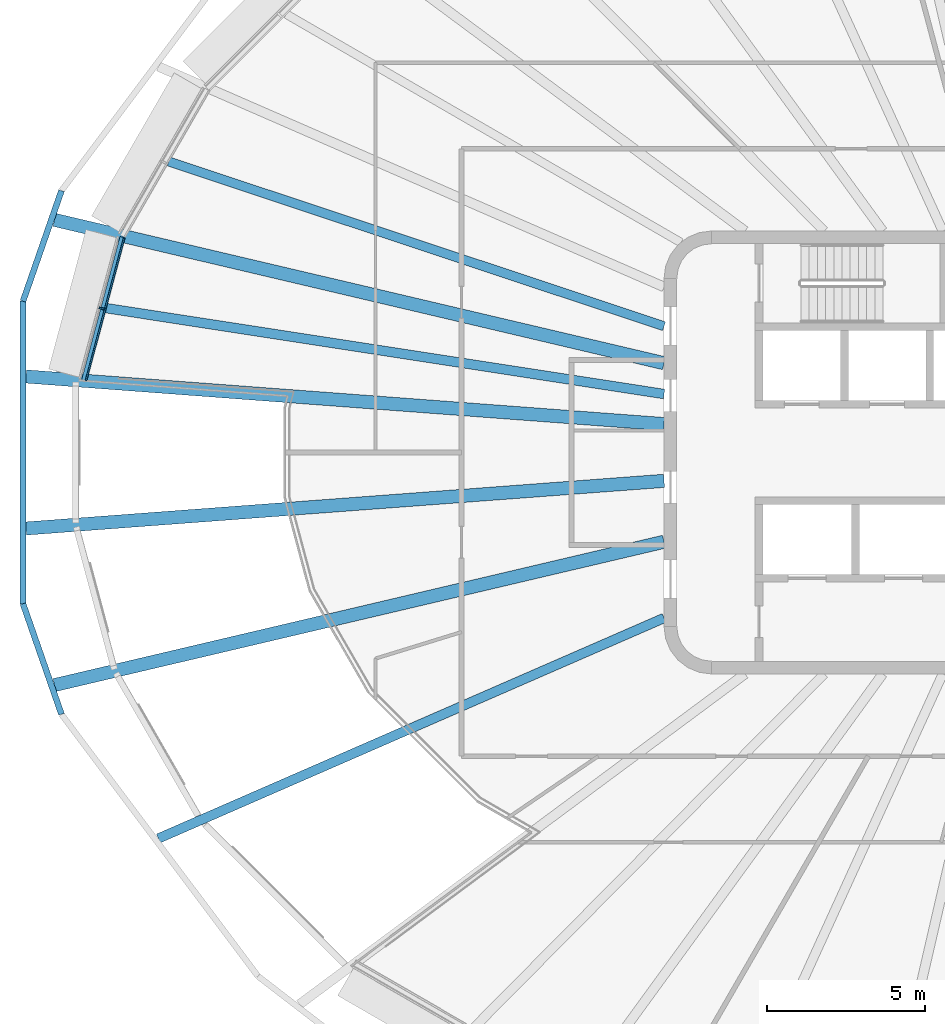
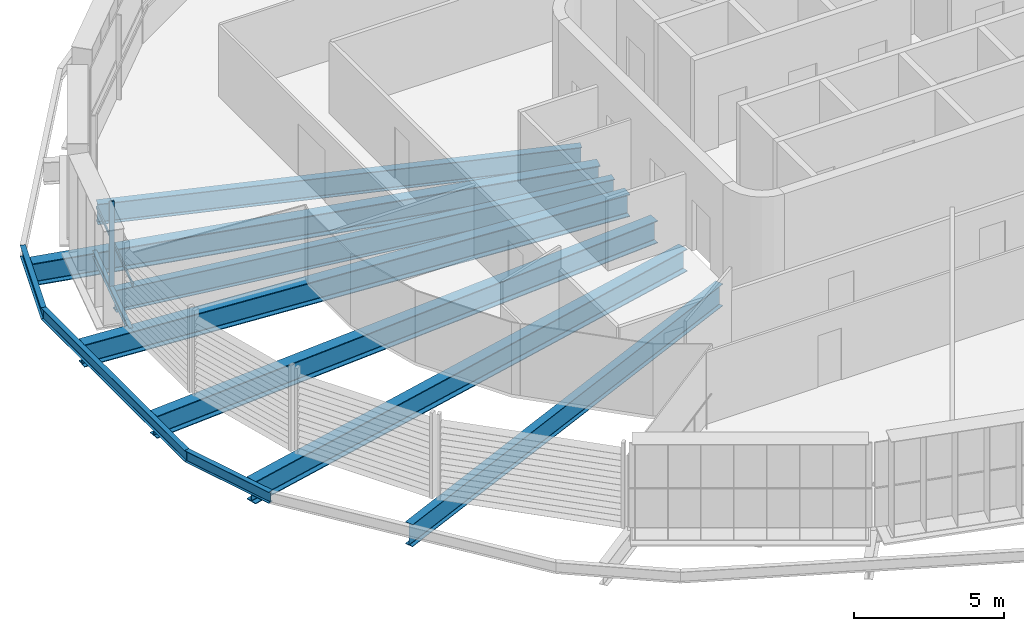
# One storey, part 2 of 19: 11 beams, 2 members, 1 element without a shape of its own.
"""IFC4 building model written with IfcOpenShell, lengths in metres."""

from ifc_helpers import new_model, si_unit, direction, frame, origin, origin_2d, place, context, subcontext, project, spatial, rectangle, i_section, extrude, material, layer, layer_set, material_profile, profile_set, type_object, element, aggregate, save


model = new_model("IFC4")

# Units and contexts
model_context = context("Model", 3, precision=1e-05, world=origin(), true_north=direction((0.0, 1.0)))
body_context = subcontext(model_context, "Body", "Model", "MODEL_VIEW")
ifc_project = project(units=[si_unit("LENGTHUNIT", "METRE"), si_unit("AREAUNIT", "SQUARE_METRE"), si_unit("VOLUMEUNIT", "CUBIC_METRE"), si_unit("PLANEANGLEUNIT", "RADIAN"), si_unit("MASSUNIT", "GRAM", prefix="KILO")], contexts=[model_context])

# Site, building, storey
site_placement = place(None, origin())
site = spatial("IfcSite", under=ifc_project, at=site_placement, CompositionType="ELEMENT")
building_placement = place(site_placement, origin())
building = spatial("IfcBuilding", under=site, at=building_placement, Name="Sahrelin Media Tower", CompositionType="ELEMENT")
storey_placement = place(building_placement, frame((0.0, 0.0, 229.60009765625)))
storey = spatial("IfcBuildingStorey", under=building, at=storey_placement, Name="L49", CompositionType="ELEMENT", Elevation=229.60009765625)

# Beam
ifc_material_1 = material(Name="Steel S355", Category="steel")
ifc_material_profile_1 = material_profile(ifc_material_1, i_section(OverallWidth=0.14599609375, OverallDepth=0.25146484375, WebThickness=0.006103515625, FlangeThickness=0.008544921875, FilletRadius=0.007568359375, at=origin_2d()), Name="UB 254x146x31")
ifc_profile_set_1 = profile_set([ifc_material_profile_1], Name="Steel S355")
beam_type_1 = type_object("IfcBeamType", Name="Edge beam EB1", PredefinedType="BEAM", material=ifc_profile_set_1)
beam_1_placement = place(storey_placement, frame((-30.34033203125, 2.272216796875, -0.27587890625), z_axis=(0.258794986655, 0.965932272409, 0.0), x_axis=(-0.965932272409, 0.258794986655, 0.0)))
element("IfcBeam", 1, at=beam_1_placement, inside=storey, type_object=beam_type_1, Name="Edge beam L49-10", PredefinedType="BEAM", context=body_context, shape_type="SweptSolid", body=[
    extrude(i_section(OverallWidth=0.14599609375, OverallDepth=0.25146484375, WebThickness=0.006103515625, FlangeThickness=0.008544921875, FilletRadius=0.007568359375, at=origin_2d()), origin(), (0.0, 0.0, 1.0), 4.696044921875),
])

# Curtain wall, member
ifc_material_2 = material(Name="Champagne anodised aluminium 6063-T6", Category="aluminium")
ifc_layer = layer(ifc_material_2, 0.14990234375)
ifc_layer_set = layer_set([ifc_layer], Name="Tower ribbon curtain wall")
curtain_wall_type = type_object("IfcCurtainWallType", Name="Tower ribbon curtain wall", PredefinedType="NOTDEFINED", material=ifc_layer_set)
curtain_wall_placement = place(storey_placement, frame((-29.87744140625, 4.5791015625, 0.0), z_axis=(0.0, 0.0, 1.0), x_axis=(1.0, 0.0, 0.0)))
curtain_wall = element("IfcCurtainWall", 2, at=curtain_wall_placement, inside=storey, type_object=curtain_wall_type, Name="L49:CW:L49-11", PredefinedType="NOTDEFINED")
ifc_material_profile_2 = material_profile(ifc_material_2, rectangle(XDim=0.06005859375, YDim=0.175048828125, at=origin_2d()), Name="Mullion 60x175")
ifc_profile_set_2 = profile_set([ifc_material_profile_2], Name="Champagne anodised aluminium 6063-T6")
member_type_1 = type_object("IfcMemberType", Name="Mullion 60x175 CW1B", PredefinedType="MULLION", material=ifc_profile_set_2)
member_1_placement = place(storey_placement, frame((-29.773681640625, 4.55126953125, 0.0), z_axis=(0.0, 0.0, 1.0), x_axis=(-0.258817359244, -0.965926278012, 0.0)))
member_1 = element("IfcMember", 3, at=member_1_placement, type_object=member_type_1, Name="L49:CWM:L49-11", PredefinedType="MULLION", context=body_context, shape_type="SweptSolid", body=[
    extrude(rectangle(XDim=0.06005859375, YDim=0.175048828125, at=origin_2d()), origin(), (0.0, 0.0, 1.0), 3.448486328125),
])

# Beams
ifc_material_profile_3 = material_profile(ifc_material_1, i_section(OverallWidth=0.30322265625, OverallDepth=0.903076171875, WebThickness=0.01513671875, FlangeThickness=0.020263671875, FilletRadius=0.01904296875, at=origin_2d()), Name="UB 914x305x201")
ifc_profile_set_3 = profile_set([ifc_material_profile_3], Name="Steel S355")
beam_type_2 = type_object("IfcBeamType", Name="Radial primary beam PB11", PredefinedType="BEAM", material=ifc_profile_set_3)
beam_2_placement = place(storey_placement, frame((-12.0, -5.23193359375, -0.6015625), z_axis=(-0.916663739378, -0.399659341077, 0.0), x_axis=(0.399659341077, -0.916663739378, 0.0)))
element("IfcBeam", 4, at=beam_2_placement, inside=storey, type_object=beam_type_2, Name="Radial beam L49-15", PredefinedType="BEAM", context=body_context, shape_type="SweptSolid", body=[
    extrude(i_section(OverallWidth=0.30322265625, OverallDepth=0.903076171875, WebThickness=0.01513671875, FlangeThickness=0.020263671875, FilletRadius=0.01904296875, at=origin_2d()), origin(), (0.0, 0.0, 1.0), 17.434814453125),
])
ifc_material_profile_4 = material_profile(ifc_material_1, i_section(OverallWidth=0.41845703125, OverallDepth=0.911865234375, WebThickness=0.019287109375, FlangeThickness=0.031982421875, FilletRadius=0.024169921875, at=origin_2d()), Name="UB 914x419x343")
ifc_profile_set_4 = profile_set([ifc_material_profile_4], Name="Steel S355")
beam_type_3 = type_object("IfcBeamType", Name="Radial primary beam PB12", PredefinedType="BEAM", material=ifc_profile_set_4)
beam_3_placement = place(storey_placement, frame((-12.0, 2.821533203125, -0.60595703125), z_axis=(-0.97344886828, 0.22890456711, 0.0), x_axis=(-0.22890456711, -0.97344886828, 0.0)))
element("IfcBeam", 5, at=beam_3_placement, inside=storey, type_object=beam_type_3, Name="Radial beam L49-11", PredefinedType="BEAM", context=body_context, shape_type="SweptSolid", body=[
    extrude(i_section(OverallWidth=0.41845703125, OverallDepth=0.911865234375, WebThickness=0.019287109375, FlangeThickness=0.031982421875, FilletRadius=0.024169921875, at=origin_2d()), origin(), (0.0, 0.0, 1.0), 19.791015625),
])
for number, where, z_axis, x_axis, name in (
    (6, (-12.0, 0.896484375, -0.60595703125), (-0.997221774795, 0.074489810539, 0.0), (-0.074489810539, -0.997221774795, 0.0), "Radial beam L49-12"),
    (7, (-12.0, -0.896484375, -0.60595703125), (-0.997221774795, -0.074489810539, 0.0), (0.074489810539, -0.997221774795, 0.0), "Radial beam L49-13"),
):
    element("IfcBeam", number, at=place(storey_placement, frame(where, z_axis=z_axis, x_axis=x_axis)), inside=storey, type_object=beam_type_3, Name=name, PredefinedType="BEAM", context=body_context, shape_type="SweptSolid", body=[
        extrude(i_section(OverallWidth=0.41845703125, OverallDepth=0.911865234375, WebThickness=0.019287109375, FlangeThickness=0.031982421875, FilletRadius=0.024169921875, at=origin_2d()), origin(), (0.0, 0.0, 1.0), 20.22216796875),
    ])
beam_4_placement = place(storey_placement, frame((-12.0, -2.821533203125, -0.60595703125), z_axis=(-0.97344886828, -0.22890456711, 0.0), x_axis=(0.22890456711, -0.97344886828, 0.0)))
element("IfcBeam", 8, at=beam_4_placement, inside=storey, type_object=beam_type_3, Name="Radial beam L49-14", PredefinedType="BEAM", context=body_context, shape_type="SweptSolid", body=[
    extrude(i_section(OverallWidth=0.41845703125, OverallDepth=0.911865234375, WebThickness=0.019287109375, FlangeThickness=0.031982421875, FilletRadius=0.024169921875, at=origin_2d()), origin(), (0.0, 0.0, 1.0), 19.791015625),
])
ifc_material_profile_5 = material_profile(ifc_material_1, i_section(OverallWidth=0.291748046875, OverallDepth=0.8349609375, WebThickness=0.013916015625, FlangeThickness=0.018798828125, FilletRadius=0.017822265625, at=origin_2d()), Name="UB 838x292x176")
ifc_profile_set_5 = profile_set([ifc_material_profile_5], Name="Steel S355")
beam_type_4 = type_object("IfcBeamType", Name="Radial secondary beam SB10", PredefinedType="BEAM", material=ifc_profile_set_5)
beam_5_placement = place(storey_placement, frame((-12.0, 3.990478515625, -0.567626953125), z_axis=(-0.948906514387, 0.315557327524, 0.0), x_axis=(-0.315557327524, -0.948906514387, 0.0)))
element("IfcBeam", 9, at=beam_5_placement, inside=storey, type_object=beam_type_4, Name="Secondary beam L49-10", PredefinedType="BEAM", context=body_context, shape_type="SweptSolid", body=[
    extrude(i_section(OverallWidth=0.291748046875, OverallDepth=0.8349609375, WebThickness=0.013916015625, FlangeThickness=0.018798828125, FilletRadius=0.017822265625, at=origin_2d()), origin(), (0.0, 0.0, 1.0), 16.498046875),
])
ifc_material_profile_6 = material_profile(ifc_material_1, i_section(OverallWidth=0.30322265625, OverallDepth=0.903076171875, WebThickness=0.01513671875, FlangeThickness=0.020263671875, FilletRadius=0.01904296875, at=origin_2d()), Name="UB 914x305x201")
ifc_profile_set_6 = profile_set([ifc_material_profile_6], Name="Steel S355")
beam_type_5 = type_object("IfcBeamType", Name="Radial secondary beam SB11", PredefinedType="BEAM", material=ifc_profile_set_6)
beam_6_placement = place(storey_placement, frame((-12.0, 1.847412109375, -0.6015625), z_axis=(-0.988356204029, 0.152157858676, 0.0), x_axis=(-0.152157858676, -0.988356204029, 0.0)))
element("IfcBeam", 10, at=beam_6_placement, inside=storey, type_object=beam_type_5, Name="Secondary beam L49-11", PredefinedType="BEAM", context=body_context, shape_type="SweptSolid", body=[
    extrude(i_section(OverallWidth=0.30322265625, OverallDepth=0.903076171875, WebThickness=0.01513671875, FlangeThickness=0.020263671875, FilletRadius=0.01904296875, at=origin_2d()), origin(), (0.0, 0.0, 1.0), 17.8583984375),
])
ifc_material_profile_7 = material_profile(ifc_material_1, i_section(OverallWidth=0.1904296875, OverallDepth=0.45703125, WebThickness=0.009033203125, FlangeThickness=0.014404296875, FilletRadius=0.01025390625, at=origin_2d()), Name="UB 457x191x74")
ifc_profile_set_7 = profile_set([ifc_material_profile_7], Name="Steel S355")
beam_type_6 = type_object("IfcBeamType", Name="Tie chord TC5", PredefinedType="BEAM", material=ifc_profile_set_7)
beam_7_placement = place(storey_placement, frame((-31.045166015625, 8.27490234375, -0.378662109375), z_axis=(-0.328753568035, -0.944415740818, 0.0), x_axis=(0.944415740818, -0.328753568035, 0.0)))
element("IfcBeam", 11, at=beam_7_placement, inside=storey, type_object=beam_type_6, Name="Tie chord L49-11", PredefinedType="BEAM", context=body_context, shape_type="SweptSolid", body=[
    extrude(i_section(OverallWidth=0.1904296875, OverallDepth=0.45703125, WebThickness=0.009033203125, FlangeThickness=0.014404296875, FilletRadius=0.01025390625, at=origin_2d()), origin(), (0.0, 0.0, 1.0), 3.698974609375),
])
beam_8_placement = place(storey_placement, frame((-32.26123046875, 4.781494140625, -0.378662109375), z_axis=(0.0, -1.0, 0.0), x_axis=(1.0, 0.0, 0.0)))
element("IfcBeam", 12, at=beam_8_placement, inside=storey, type_object=beam_type_6, Name="Tie chord L49-12", PredefinedType="BEAM", context=body_context, shape_type="SweptSolid", body=[
    extrude(i_section(OverallWidth=0.1904296875, OverallDepth=0.45703125, WebThickness=0.009033203125, FlangeThickness=0.014404296875, FilletRadius=0.01025390625, at=origin_2d()), origin(), (0.0, 0.0, 1.0), 9.56298828125),
])
beam_9_placement = place(storey_placement, frame((-32.26123046875, -4.781494140625, -0.378662109375), z_axis=(0.328753568035, -0.944415740818, 0.0), x_axis=(0.944415740818, 0.328753568035, 0.0)))
element("IfcBeam", 13, at=beam_9_placement, inside=storey, type_object=beam_type_6, Name="Tie chord L49-13", PredefinedType="BEAM", context=body_context, shape_type="SweptSolid", body=[
    extrude(i_section(OverallWidth=0.1904296875, OverallDepth=0.45703125, WebThickness=0.009033203125, FlangeThickness=0.014404296875, FilletRadius=0.01025390625, at=origin_2d()), origin(), (0.0, 0.0, 1.0), 3.698974609375),
])

# Member
ifc_material_profile_8 = material_profile(ifc_material_2, rectangle(XDim=0.050048828125, YDim=0.110107421875, at=origin_2d()), Name="Transom 50x110")
ifc_profile_set_8 = profile_set([ifc_material_profile_8], Name="Champagne anodised aluminium 6063-T6")
member_type_2 = type_object("IfcMemberType", Name="Transom 50x110 CW1B", PredefinedType="USERDEFINED", material=ifc_profile_set_8)
member_2_placement = place(storey_placement, frame((-29.061279296875, 6.775146484375, 1.599853515625), z_axis=(-0.258854676621, -0.965916278148, 0.0), x_axis=(0.965916278148, -0.258854676621, 0.0)))
member_2 = element("IfcMember", 14, at=member_2_placement, type_object=member_type_2, Name="L49:CWT:L49-11", ObjectType="TRANSOM", PredefinedType="USERDEFINED", context=body_context, shape_type="SweptSolid", body=[
    extrude(rectangle(XDim=0.050048828125, YDim=0.110107421875, at=origin_2d()), origin(), (0.0, 0.0, 1.0), 4.664794921875),
])

aggregate(curtain_wall, [member_1, member_2])

save(model, "model.ifc")
